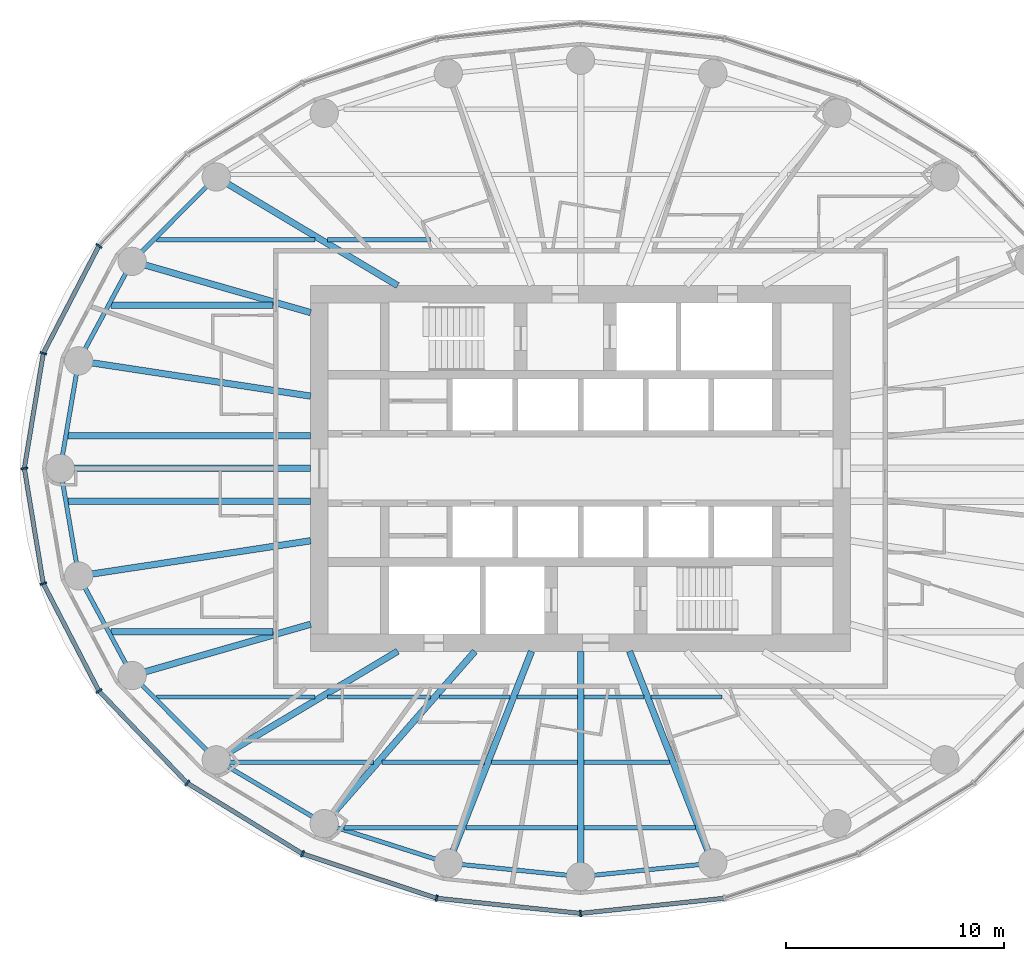
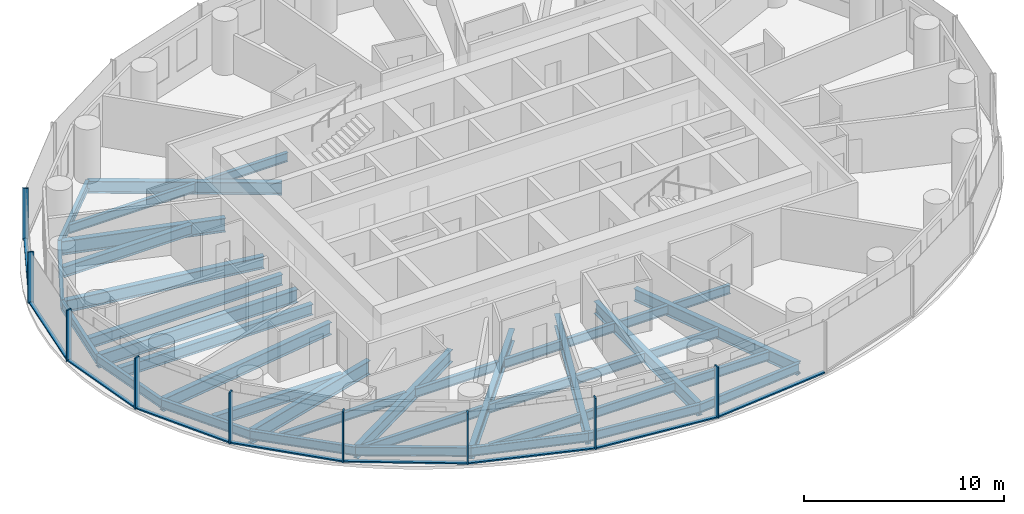
# One storey, part 2 of 13: 40 beams, 18 members, 3 elements without a shape of their own.
"""IFC4 building model written with IfcOpenShell, lengths in metres."""

from ifc_helpers import new_model, si_unit, direction, frame, origin, origin_2d, place, context, subcontext, project, spatial, rectangle, i_section, extrude, material, material_profile, profile_set, type_object, element, aggregate, save


model = new_model("IFC4")

# Units and contexts
model_context = context("Model", 3, precision=1e-05, world=origin(), true_north=direction((0.0, 1.0)))
body_context = subcontext(model_context, "Body", "Model", "MODEL_VIEW")
ifc_project = project(units=[si_unit("LENGTHUNIT", "METRE"), si_unit("AREAUNIT", "SQUARE_METRE"), si_unit("VOLUMEUNIT", "CUBIC_METRE"), si_unit("PLANEANGLEUNIT", "RADIAN"), si_unit("MASSUNIT", "GRAM", prefix="KILO")], contexts=[model_context])

# Site, building, storey
site_placement = place(None, origin())
site = spatial("IfcSite", under=ifc_project, at=site_placement, CompositionType="ELEMENT")
building_placement = place(site_placement, origin())
building = spatial("IfcBuilding", under=site, at=building_placement, Name="Hankou Lantern Tower", CompositionType="ELEMENT")
storey_placement = place(building_placement, frame((0.0, 0.0, 125.39990234375)))
storey = spatial("IfcBuildingStorey", under=building, at=storey_placement, Name="L32", CompositionType="ELEMENT", Elevation=125.39990234375)

# Beams
ifc_material_1 = material(Name="Steel Q355B", Category="steel")
ifc_material_profile_1 = material_profile(ifc_material_1, i_section(OverallWidth=0.199951171875, OverallDepth=0.550048828125, WebThickness=0.010009765625, FlangeThickness=0.01611328125, FilletRadius=0.012939453125, at=origin_2d()), Name="HN550x200x10x16")
ifc_profile_set_1 = profile_set([ifc_material_profile_1], Name="Steel Q355B")
beam_type_1 = type_object("IfcBeamType", Name="EB6 RING BEAM HN550x200x10x16", PredefinedType="SPANDREL", material=ifc_profile_set_1)
beam_1_placement = place(storey_placement, frame((-16.73388671875, 13.38720703125, -0.454833984375), z_axis=(-0.705945468625, -0.708266189599, 0.0), x_axis=(0.708266189599, -0.705945468625, 0.0)))
element("IfcBeam", 1, at=beam_1_placement, inside=storey, type_object=beam_type_1, Name="Ring beam R10-R11 L32", PredefinedType="SPANDREL", context=body_context, shape_type="SweptSolid", body=[
    extrude(i_section(OverallWidth=0.199951171875, OverallDepth=0.550048828125, WebThickness=0.010009765625, FlangeThickness=0.01611328125, FilletRadius=0.012939453125, at=origin_2d()), origin(), (0.0, 0.0, 1.0), 5.470458984375),
])
beam_2_placement = place(storey_placement, frame((-20.595703125, 9.5126953125, -0.454833984375), z_axis=(-0.473824901673, -0.880619079145, 0.0), x_axis=(0.880619079145, -0.473824901673, 0.0)))
element("IfcBeam", 2, at=beam_2_placement, inside=storey, type_object=beam_type_1, Name="Ring beam R11-R12 L32", PredefinedType="SPANDREL", context=body_context, shape_type="SweptSolid", body=[
    extrude(i_section(OverallWidth=0.199951171875, OverallDepth=0.550048828125, WebThickness=0.010009765625, FlangeThickness=0.01611328125, FilletRadius=0.012939453125, at=origin_2d()), origin(), (0.0, 0.0, 1.0), 5.190185546875),
])
for number, where, z_axis, x_axis, name in (
    (3, (-23.054931640625, 4.942138671875, -0.454833984375), (-0.168527258545, -0.985696993567, 0.0), (0.985696993567, -0.168527258545, 0.0), "Ring beam R12-R13 L32"),
    (4, (-23.89990234375, 0.0, -0.454833984375), (0.168527258545, -0.985696993567, 0.0), (0.985696993567, 0.168527258545, 0.0), "Ring beam R13-R14 L32"),
):
    element("IfcBeam", number, at=place(storey_placement, frame(where, z_axis=z_axis, x_axis=x_axis)), inside=storey, type_object=beam_type_1, Name=name, PredefinedType="SPANDREL", context=body_context, shape_type="SweptSolid", body=[
        extrude(i_section(OverallWidth=0.199951171875, OverallDepth=0.550048828125, WebThickness=0.010009765625, FlangeThickness=0.01611328125, FilletRadius=0.012939453125, at=origin_2d()), origin(), (0.0, 0.0, 1.0), 5.013916015625),
    ])
beam_3_placement = place(storey_placement, frame((-23.054931640625, -4.942138671875, -0.454833984375), z_axis=(0.473824901673, -0.880619079145, 0.0), x_axis=(0.880619079145, 0.473824901673, 0.0)))
element("IfcBeam", 5, at=beam_3_placement, inside=storey, type_object=beam_type_1, Name="Ring beam R14-R15 L32", PredefinedType="SPANDREL", context=body_context, shape_type="SweptSolid", body=[
    extrude(i_section(OverallWidth=0.199951171875, OverallDepth=0.550048828125, WebThickness=0.010009765625, FlangeThickness=0.01611328125, FilletRadius=0.012939453125, at=origin_2d()), origin(), (0.0, 0.0, 1.0), 5.190185546875),
])
beam_4_placement = place(storey_placement, frame((-20.595703125, -9.5126953125, -0.454833984375), z_axis=(0.705945468625, -0.708266189599, 0.0), x_axis=(0.708266189599, 0.705945468625, 0.0)))
element("IfcBeam", 6, at=beam_4_placement, inside=storey, type_object=beam_type_1, Name="Ring beam R15-R16 L32", PredefinedType="SPANDREL", context=body_context, shape_type="SweptSolid", body=[
    extrude(i_section(OverallWidth=0.199951171875, OverallDepth=0.550048828125, WebThickness=0.010009765625, FlangeThickness=0.01611328125, FilletRadius=0.012939453125, at=origin_2d()), origin(), (0.0, 0.0, 1.0), 5.470458984375),
])
beam_5_placement = place(storey_placement, frame((-16.73388671875, -13.38720703125, -0.454833984375), z_axis=(0.860988974188, -0.508623619513, 0.0), x_axis=(0.508623619513, 0.860988974188, 0.0)))
element("IfcBeam", 7, at=beam_5_placement, inside=storey, type_object=beam_type_1, Name="Ring beam R16-R17 L32", PredefinedType="SPANDREL", context=body_context, shape_type="SweptSolid", body=[
    extrude(i_section(OverallWidth=0.199951171875, OverallDepth=0.550048828125, WebThickness=0.010009765625, FlangeThickness=0.01611328125, FilletRadius=0.012939453125, at=origin_2d()), origin(), (0.0, 0.0, 1.0), 5.759033203125),
])
beam_6_placement = place(storey_placement, frame((-11.775390625, -16.31640625, -0.454833984375), z_axis=(0.952731090451, -0.303814860215, 0.0), x_axis=(0.303814860215, 0.952731090451, 0.0)))
element("IfcBeam", 8, at=beam_6_placement, inside=storey, type_object=beam_type_1, Name="Ring beam R17-R18 L32", PredefinedType="SPANDREL", context=body_context, shape_type="SweptSolid", body=[
    extrude(i_section(OverallWidth=0.199951171875, OverallDepth=0.550048828125, WebThickness=0.010009765625, FlangeThickness=0.01611328125, FilletRadius=0.012939453125, at=origin_2d()), origin(), (0.0, 0.0, 1.0), 5.984375),
])
for number, where, z_axis, x_axis, name in (
    (9, (-6.073974609375, -18.134521484375, -0.454833984375), (0.994905271594, -0.100814188259, 0.0), (0.100814188259, 0.994905271594, 0.0), "Ring beam R18-R19 L32"),
    (10, (0.0, -18.75, -0.454833984375), (0.994905271594, 0.100814188259, 0.0), (-0.100814188259, 0.994905271594, 0.0), "Ring beam R19-R20 L32"),
):
    element("IfcBeam", number, at=place(storey_placement, frame(where, z_axis=z_axis, x_axis=x_axis)), inside=storey, type_object=beam_type_1, Name=name, PredefinedType="SPANDREL", context=body_context, shape_type="SweptSolid", body=[
        extrude(i_section(OverallWidth=0.199951171875, OverallDepth=0.550048828125, WebThickness=0.010009765625, FlangeThickness=0.01611328125, FilletRadius=0.012939453125, at=origin_2d()), origin(), (0.0, 0.0, 1.0), 6.10498046875),
    ])

# Curtain wall, members
ifc_material_2 = material(Name="Glass, dark grey tinted laminated", Category="glass")
curtain_wall_type = type_object("IfcCurtainWallType", Name="CWB OUTER SKIN MID-RISE", PredefinedType="USERDEFINED", material=ifc_material_2)
curtain_wall_1_placement = place(storey_placement, origin())
curtain_wall_1 = element("IfcCurtainWall", 11, at=curtain_wall_1_placement, inside=storey, type_object=curtain_wall_type, Name="CWB L32 OS2", ObjectType="OUTER SKIN MID-RISE", PredefinedType="USERDEFINED")
ifc_material_3 = material(Name="Aluminium, black anodised", Category="aluminium")
ifc_material_profile_2 = material_profile(ifc_material_3, rectangle(XDim=0.080078125, YDim=0.300048828125, at=origin_2d()), Name="MU1 80X300")
ifc_profile_set_2 = profile_set([ifc_material_profile_2], Name="Aluminium, black anodised")
member_type_1 = type_object("IfcMemberType", Name="MU1 OUTER SKIN MULLION 80X300", PredefinedType="MULLION", material=ifc_profile_set_2)
member_1_placement = place(storey_placement, frame((-22.126953125, 10.219970703125, 0.0), z_axis=(0.0, 0.0, 1.0), x_axis=(-0.585205735974, -0.810884854084, 0.0)))
member_1 = element("IfcMember", 12, at=member_1_placement, type_object=member_type_1, Name="CWB mullion 5", PredefinedType="MULLION", context=body_context, shape_type="SweptSolid", body=[
    extrude(rectangle(XDim=0.080078125, YDim=0.300048828125, at=origin_2d()), origin(), (0.0, 0.0, 1.0), 3.1201171875),
])
member_2_placement = place(storey_placement, frame((-24.679443359375, 5.290283203125, 0.0), z_axis=(0.0, 0.0, 1.0), x_axis=(-0.317595577365, -0.94822626479, 0.0)))
member_2 = element("IfcMember", 13, at=member_2_placement, type_object=member_type_1, Name="CWB mullion 6", PredefinedType="MULLION", context=body_context, shape_type="SweptSolid", body=[
    extrude(rectangle(XDim=0.080078125, YDim=0.300048828125, at=origin_2d()), origin(), (0.0, 0.0, 1.0), 3.1201171875),
])

curtain_wall_2_placement = place(storey_placement, origin())
curtain_wall_2 = element("IfcCurtainWall", 14, at=curtain_wall_2_placement, inside=storey, type_object=curtain_wall_type, Name="CWB L32 OS3", ObjectType="OUTER SKIN MID-RISE", PredefinedType="USERDEFINED")
member_3_placement = place(storey_placement, frame((-25.550048828125, 0.0, 0.0), z_axis=(0.0, 0.0, 1.0), x_axis=(0.162381515188, -0.986728049427, 0.0)))
member_3 = element("IfcMember", 15, at=member_3_placement, type_object=member_type_1, Name="CWB mullion 1", PredefinedType="MULLION", context=body_context, shape_type="SweptSolid", body=[
    extrude(rectangle(XDim=0.080078125, YDim=0.300048828125, at=origin_2d()), origin(), (0.0, 0.0, 1.0), 3.1201171875),
])
member_4_placement = place(storey_placement, frame((-24.679443359375, -5.290283203125, 0.0), z_axis=(0.0, 0.0, 1.0), x_axis=(0.317595577365, -0.94822626479, 0.0)))
member_4 = element("IfcMember", 16, at=member_4_placement, type_object=member_type_1, Name="CWB mullion 2", PredefinedType="MULLION", context=body_context, shape_type="SweptSolid", body=[
    extrude(rectangle(XDim=0.080078125, YDim=0.300048828125, at=origin_2d()), origin(), (0.0, 0.0, 1.0), 3.1201171875),
])
member_5_placement = place(storey_placement, frame((-22.126953125, -10.219970703125, 0.0), z_axis=(0.0, 0.0, 1.0), x_axis=(0.585205735974, -0.810884854084, 0.0)))
member_5 = element("IfcMember", 17, at=member_5_placement, type_object=member_type_1, Name="CWB mullion 3", PredefinedType="MULLION", context=body_context, shape_type="SweptSolid", body=[
    extrude(rectangle(XDim=0.080078125, YDim=0.300048828125, at=origin_2d()), origin(), (0.0, 0.0, 1.0), 3.1201171875),
])
member_6_placement = place(storey_placement, frame((-18.066650390625, -14.453369140625, 0.0), z_axis=(0.0, 0.0, 1.0), x_axis=(0.780868809444, -0.624695047553, 0.0)))
member_6 = element("IfcMember", 18, at=member_6_placement, type_object=member_type_1, Name="CWB mullion 4", PredefinedType="MULLION", context=body_context, shape_type="SweptSolid", body=[
    extrude(rectangle(XDim=0.080078125, YDim=0.300048828125, at=origin_2d()), origin(), (0.0, 0.0, 1.0), 3.1201171875),
])
member_7_placement = place(storey_placement, frame((-12.77490234375, -17.70166015625, 0.0), z_axis=(0.0, 0.0, 1.0), x_axis=(0.907841299004, -0.419313934686, 0.0)))
member_7 = element("IfcMember", 19, at=member_7_placement, type_object=member_type_1, Name="CWB mullion 5", PredefinedType="MULLION", context=body_context, shape_type="SweptSolid", body=[
    extrude(rectangle(XDim=0.080078125, YDim=0.300048828125, at=origin_2d()), origin(), (0.0, 0.0, 1.0), 3.1201171875),
])
member_8_placement = place(storey_placement, frame((-6.61279296875, -19.743408203125, 0.0), z_axis=(0.0, 0.0, 1.0), x_axis=(0.977787659625, -0.209597931016, 0.0)))
member_8 = element("IfcMember", 20, at=member_8_placement, type_object=member_type_1, Name="CWB mullion 6", PredefinedType="MULLION", context=body_context, shape_type="SweptSolid", body=[
    extrude(rectangle(XDim=0.080078125, YDim=0.300048828125, at=origin_2d()), origin(), (0.0, 0.0, 1.0), 3.1201171875),
])

# Curtain wall, member
curtain_wall_3_placement = place(storey_placement, origin())
curtain_wall_3 = element("IfcCurtainWall", 21, at=curtain_wall_3_placement, inside=storey, type_object=curtain_wall_type, Name="CWB L32 OS4", ObjectType="OUTER SKIN MID-RISE", PredefinedType="USERDEFINED")
member_9_placement = place(storey_placement, frame((0.0, -20.43994140625, 0.0), z_axis=(0.0, 0.0, 1.0), x_axis=(0.994499359107, 0.104742659579, 0.0)))
member_9 = element("IfcMember", 22, at=member_9_placement, type_object=member_type_1, Name="CWB mullion 1", PredefinedType="MULLION", context=body_context, shape_type="SweptSolid", body=[
    extrude(rectangle(XDim=0.080078125, YDim=0.300048828125, at=origin_2d()), origin(), (0.0, 0.0, 1.0), 3.1201171875),
])

# Beams
ifc_material_4 = material(Name="Steel Q355B", Category="steel")
ifc_material_profile_3 = material_profile(ifc_material_4, i_section(OverallWidth=0.300048828125, OverallDepth=0.75, WebThickness=0.012939453125, FlangeThickness=0.02392578125, FilletRadius=0.01806640625, at=origin_2d()), Name="HN750x300x13x24")
ifc_profile_set_3 = profile_set([ifc_material_profile_3], Name="Steel Q355B")
beam_type_2 = type_object("IfcBeamType", Name="RB10 RADIAL BEAM HN750x300x13x24", PredefinedType="BEAM", material=ifc_profile_set_3)
beam_7_placement = place(storey_placement, frame((-8.39990234375, 8.39990234375, -0.554931640625), z_axis=(-0.858086776551, 0.513504706802, 0.0), x_axis=(-0.513504706802, -0.858086776551, 0.0)))
element("IfcBeam", 23, at=beam_7_placement, inside=storey, type_object=beam_type_2, Name="Radial beam R10 L32", PredefinedType="BEAM", context=body_context, shape_type="SweptSolid", body=[
    extrude(i_section(OverallWidth=0.300048828125, OverallDepth=0.75, WebThickness=0.012939453125, FlangeThickness=0.02392578125, FilletRadius=0.01806640625, at=origin_2d()), origin(), (0.0, 0.0, 1.0), 9.71240234375),
])
for number, where, z_axis, x_axis, name in (
    (24, (-12.39990234375, 3.322509765625, -0.554931640625), (-0.988643506875, 0.150279793429, 0.0), (-0.150279793429, -0.988643506875, 0.0), "Radial beam R12 L32"),
    (25, (-12.39990234375, -3.322509765625, -0.554931640625), (-0.988643506875, -0.150279793429, 0.0), (0.150279793429, -0.988643506875, 0.0), "Radial beam R14 L32"),
):
    element("IfcBeam", number, at=place(storey_placement, frame(where, z_axis=z_axis, x_axis=x_axis)), inside=storey, type_object=beam_type_2, Name=name, PredefinedType="BEAM", context=body_context, shape_type="SweptSolid", body=[
        extrude(i_section(OverallWidth=0.300048828125, OverallDepth=0.75, WebThickness=0.012939453125, FlangeThickness=0.02392578125, FilletRadius=0.01806640625, at=origin_2d()), origin(), (0.0, 0.0, 1.0), 10.77734375),
    ])
beam_8_placement = place(storey_placement, frame((-8.39990234375, -8.39990234375, -0.554931640625), z_axis=(-0.858086776551, -0.513504706802, 0.0), x_axis=(0.513504706802, -0.858086776551, 0.0)))
element("IfcBeam", 26, at=beam_8_placement, inside=storey, type_object=beam_type_2, Name="Radial beam R16 L32", PredefinedType="BEAM", context=body_context, shape_type="SweptSolid", body=[
    extrude(i_section(OverallWidth=0.300048828125, OverallDepth=0.75, WebThickness=0.012939453125, FlangeThickness=0.02392578125, FilletRadius=0.01806640625, at=origin_2d()), origin(), (0.0, 0.0, 1.0), 9.71240234375),
])
beam_9_placement = place(storey_placement, frame((-4.849853515625, -8.39990234375, -0.554931640625), z_axis=(-0.658429014446, -0.752642832249, 0.0), x_axis=(0.752642832249, -0.658429014446, 0.0)))
element("IfcBeam", 27, at=beam_9_placement, inside=storey, type_object=beam_type_2, Name="Radial beam R17 L32", PredefinedType="BEAM", context=body_context, shape_type="SweptSolid", body=[
    extrude(i_section(OverallWidth=0.300048828125, OverallDepth=0.75, WebThickness=0.012939453125, FlangeThickness=0.02392578125, FilletRadius=0.01806640625, at=origin_2d()), origin(), (0.0, 0.0, 1.0), 10.518310546875),
])
beam_10_placement = place(storey_placement, frame((-2.250732421875, -8.39990234375, -0.554931640625), z_axis=(-0.365563535437, -0.930786388791, 0.0), x_axis=(0.930786388791, -0.365563535437, 0.0)))
element("IfcBeam", 28, at=beam_10_placement, inside=storey, type_object=beam_type_2, Name="Radial beam R18 L32", PredefinedType="BEAM", context=body_context, shape_type="SweptSolid", body=[
    extrude(i_section(OverallWidth=0.300048828125, OverallDepth=0.75, WebThickness=0.012939453125, FlangeThickness=0.02392578125, FilletRadius=0.01806640625, at=origin_2d()), origin(), (0.0, 0.0, 1.0), 10.45849609375),
])
beam_11_placement = place(storey_placement, frame((0.0, -8.39990234375, -0.554931640625), z_axis=(0.0, -1.0, 0.0), x_axis=(1.0, 0.0, 0.0)))
element("IfcBeam", 29, at=beam_11_placement, inside=storey, type_object=beam_type_2, Name="Radial beam R19 L32", PredefinedType="BEAM", context=body_context, shape_type="SweptSolid", body=[
    extrude(i_section(OverallWidth=0.300048828125, OverallDepth=0.75, WebThickness=0.012939453125, FlangeThickness=0.02392578125, FilletRadius=0.01806640625, at=origin_2d()), origin(), (0.0, 0.0, 1.0), 10.35009765625),
])
beam_12_placement = place(storey_placement, frame((2.250732421875, -8.39990234375, -0.554931640625), z_axis=(0.365563535437, -0.930786388791, 0.0), x_axis=(0.930786388791, 0.365563535437, 0.0)))
element("IfcBeam", 30, at=beam_12_placement, inside=storey, type_object=beam_type_2, Name="Radial beam R20 L32", PredefinedType="BEAM", context=body_context, shape_type="SweptSolid", body=[
    extrude(i_section(OverallWidth=0.300048828125, OverallDepth=0.75, WebThickness=0.012939453125, FlangeThickness=0.02392578125, FilletRadius=0.01806640625, at=origin_2d()), origin(), (0.0, 0.0, 1.0), 10.45849609375),
])
ifc_material_5 = material(Name="Steel Q355B", Category="steel")
ifc_material_profile_4 = material_profile(ifc_material_5, i_section(OverallWidth=0.300048828125, OverallDepth=0.800048828125, WebThickness=0.013916015625, FlangeThickness=0.02587890625, FilletRadius=0.01806640625, at=origin_2d()), Name="HN800x300x14x26")
ifc_profile_set_4 = profile_set([ifc_material_profile_4], Name="Steel Q355B")
beam_type_3 = type_object("IfcBeamType", Name="RB11 RADIAL BEAM HN800x300x14x26", PredefinedType="BEAM", material=ifc_profile_set_4)
beam_13_placement = place(storey_placement, frame((-12.39990234375, 0.0, -0.579833984375), z_axis=(-1.0, 0.0, 0.0), x_axis=(0.0, -1.0, 0.0)))
element("IfcBeam", 31, at=beam_13_placement, inside=storey, type_object=beam_type_3, Name="Radial beam R13 L32", PredefinedType="BEAM", context=body_context, shape_type="SweptSolid", body=[
    extrude(i_section(OverallWidth=0.300048828125, OverallDepth=0.800048828125, WebThickness=0.013916015625, FlangeThickness=0.02587890625, FilletRadius=0.01806640625, at=origin_2d()), origin(), (0.0, 0.0, 1.0), 11.5),
])
ifc_material_6 = material(Name="Steel Q355B", Category="steel")
ifc_material_profile_5 = material_profile(ifc_material_6, i_section(OverallWidth=0.300048828125, OverallDepth=0.85009765625, WebThickness=0.01611328125, FlangeThickness=0.027099609375, FilletRadius=0.01806640625, at=origin_2d()), Name="HN850x300x16x27")
ifc_profile_set_5 = profile_set([ifc_material_profile_5], Name="Steel Q355B")
beam_type_4 = type_object("IfcBeamType", Name="RB12 RADIAL BEAM HN850x300x16x27", PredefinedType="BEAM", material=ifc_profile_set_5)
for number, where, z_axis, x_axis, name in (
    (32, (-12.39990234375, 7.1591796875, -0.60498046875), (-0.961155741911, 0.276006593745, 0.0), (-0.276006593745, -0.961155741911, 0.0), "Radial beam R11 L32"),
    (33, (-12.39990234375, -7.1591796875, -0.60498046875), (-0.961155741911, -0.276006593745, 0.0), (0.276006593745, -0.961155741911, 0.0), "Radial beam R15 L32"),
):
    element("IfcBeam", number, at=place(storey_placement, frame(where, z_axis=z_axis, x_axis=x_axis)), inside=storey, type_object=beam_type_4, Name=name, PredefinedType="BEAM", context=body_context, shape_type="SweptSolid", body=[
        extrude(i_section(OverallWidth=0.300048828125, OverallDepth=0.85009765625, WebThickness=0.01611328125, FlangeThickness=0.027099609375, FilletRadius=0.01806640625, at=origin_2d()), origin(), (0.0, 0.0, 1.0), 8.527099609375),
    ])
ifc_material_7 = material(Name="Steel Q355B", Category="steel")
ifc_material_profile_6 = material_profile(ifc_material_7, i_section(OverallWidth=0.199951171875, OverallDepth=0.550048828125, WebThickness=0.010009765625, FlangeThickness=0.01611328125, FilletRadius=0.012939453125, at=origin_2d()), Name="HN550x200x10x16")
ifc_profile_set_6 = profile_set([ifc_material_profile_6], Name="Steel Q355B")
beam_type_5 = type_object("IfcBeamType", Name="SB6 SECONDARY BEAM HN550x200x10x16", PredefinedType="JOIST", material=ifc_profile_set_6)
beam_14_placement = place(storey_placement, frame((-10.8701171875, -16.5, -0.454833984375), z_axis=(1.0, 0.0, 0.0), x_axis=(0.0, 1.0, 0.0)))
element("IfcBeam", 34, at=beam_14_placement, inside=storey, type_object=beam_type_5, Name="Floor joist J001 L32", PredefinedType="JOIST", context=body_context, shape_type="SweptSolid", body=[
    extrude(i_section(OverallWidth=0.199951171875, OverallDepth=0.550048828125, WebThickness=0.010009765625, FlangeThickness=0.01611328125, FilletRadius=0.012939453125, at=origin_2d()), origin(), (0.0, 0.0, 1.0), 5.27685546875),
])
for number, where, z_axis, x_axis, name in (
    (35, (-5.270751953125, -16.5, -0.454833984375), (1.0, 0.0, 0.0), (0.0, 1.0, 0.0), "Floor joist J002 L32"),
    (36, (0.14990234375, -16.5, -0.454833984375), (1.0, 0.0, 0.0), (0.0, 1.0, 0.0), "Floor joist J003 L32"),
):
    element("IfcBeam", number, at=place(storey_placement, frame(where, z_axis=z_axis, x_axis=x_axis)), inside=storey, type_object=beam_type_5, Name=name, PredefinedType="JOIST", context=body_context, shape_type="SweptSolid", body=[
        extrude(i_section(OverallWidth=0.199951171875, OverallDepth=0.550048828125, WebThickness=0.010009765625, FlangeThickness=0.01611328125, FilletRadius=0.012939453125, at=origin_2d()), origin(), (0.0, 0.0, 1.0), 5.120849609375),
    ])
beam_15_placement = place(storey_placement, frame((-16.34619140625, -13.5, -0.454833984375), z_axis=(1.0, 0.0, 0.0), x_axis=(0.0, 1.0, 0.0)))
element("IfcBeam", 37, at=beam_15_placement, inside=storey, type_object=beam_type_5, Name="Floor joist J005 L32", PredefinedType="JOIST", context=body_context, shape_type="SweptSolid", body=[
    extrude(i_section(OverallWidth=0.199951171875, OverallDepth=0.550048828125, WebThickness=0.010009765625, FlangeThickness=0.01611328125, FilletRadius=0.012939453125, at=origin_2d()), origin(), (0.0, 0.0, 1.0), 6.83544921875),
])
beam_16_placement = place(storey_placement, frame((-9.112060546875, -13.5, -0.454833984375), z_axis=(1.0, 0.0, 0.0), x_axis=(0.0, 1.0, 0.0)))
element("IfcBeam", 38, at=beam_16_placement, inside=storey, type_object=beam_type_5, Name="Floor joist J006 L32", PredefinedType="JOIST", context=body_context, shape_type="SweptSolid", body=[
    extrude(i_section(OverallWidth=0.199951171875, OverallDepth=0.550048828125, WebThickness=0.010009765625, FlangeThickness=0.01611328125, FilletRadius=0.012939453125, at=origin_2d()), origin(), (0.0, 0.0, 1.0), 4.697021484375),
])
for number, where, z_axis, x_axis, name in (
    (39, (-4.092529296875, -13.5, -0.454833984375), (1.0, 0.0, 0.0), (0.0, 1.0, 0.0), "Floor joist J007 L32"),
    (40, (0.14990234375, -13.5, -0.454833984375), (1.0, 0.0, 0.0), (0.0, 1.0, 0.0), "Floor joist J008 L32"),
):
    element("IfcBeam", number, at=place(storey_placement, frame(where, z_axis=z_axis, x_axis=x_axis)), inside=storey, type_object=beam_type_5, Name=name, PredefinedType="JOIST", context=body_context, shape_type="SweptSolid", body=[
        extrude(i_section(OverallWidth=0.199951171875, OverallDepth=0.550048828125, WebThickness=0.010009765625, FlangeThickness=0.01611328125, FilletRadius=0.012939453125, at=origin_2d()), origin(), (0.0, 0.0, 1.0), 3.942626953125),
    ])
beam_17_placement = place(storey_placement, frame((-19.470458984375, -10.5, -0.454833984375), z_axis=(1.0, 0.0, 0.0), x_axis=(0.0, 1.0, 0.0)))
element("IfcBeam", 41, at=beam_17_placement, inside=storey, type_object=beam_type_5, Name="Floor joist J011 L32", PredefinedType="JOIST", context=body_context, shape_type="SweptSolid", body=[
    extrude(i_section(OverallWidth=0.199951171875, OverallDepth=0.550048828125, WebThickness=0.010009765625, FlangeThickness=0.01611328125, FilletRadius=0.012939453125, at=origin_2d()), origin(), (0.0, 0.0, 1.0), 7.26904296875),
])
beam_18_placement = place(storey_placement, frame((-11.6171875, -10.5, -0.454833984375), z_axis=(1.0, 0.0, 0.0), x_axis=(0.0, 1.0, 0.0)))
element("IfcBeam", 42, at=beam_18_placement, inside=storey, type_object=beam_type_5, Name="Floor joist J012 L32", PredefinedType="JOIST", context=body_context, shape_type="SweptSolid", body=[
    extrude(i_section(OverallWidth=0.199951171875, OverallDepth=0.550048828125, WebThickness=0.010009765625, FlangeThickness=0.01611328125, FilletRadius=0.012939453125, at=origin_2d()), origin(), (0.0, 0.0, 1.0), 4.73095703125),
])
beam_19_placement = place(storey_placement, frame((-6.487548828125, -10.5, -0.454833984375), z_axis=(1.0, 0.0, 0.0), x_axis=(0.0, 1.0, 0.0)))
element("IfcBeam", 43, at=beam_19_placement, inside=storey, type_object=beam_type_5, Name="Floor joist J013 L32", PredefinedType="JOIST", context=body_context, shape_type="SweptSolid", body=[
    extrude(i_section(OverallWidth=0.199951171875, OverallDepth=0.550048828125, WebThickness=0.010009765625, FlangeThickness=0.01611328125, FilletRadius=0.012939453125, at=origin_2d()), origin(), (0.0, 0.0, 1.0), 3.2509765625),
])
for number, where, z_axis, x_axis, name in (
    (44, (-2.914306640625, -10.5, -0.454833984375), (1.0, 0.0, 0.0), (0.0, 1.0, 0.0), "Floor joist J014 L32"),
    (45, (0.14990234375, -10.5, -0.454833984375), (1.0, 0.0, 0.0), (0.0, 1.0, 0.0), "Floor joist J015 L32"),
):
    element("IfcBeam", number, at=place(storey_placement, frame(where, z_axis=z_axis, x_axis=x_axis)), inside=storey, type_object=beam_type_5, Name=name, PredefinedType="JOIST", context=body_context, shape_type="SweptSolid", body=[
        extrude(i_section(OverallWidth=0.199951171875, OverallDepth=0.550048828125, WebThickness=0.010009765625, FlangeThickness=0.01611328125, FilletRadius=0.012939453125, at=origin_2d()), origin(), (0.0, 0.0, 1.0), 2.764404296875),
    ])
beam_20_placement = place(storey_placement, frame((3.236572265625, -10.5, -0.454833984375), z_axis=(1.0, 0.0, 0.0), x_axis=(0.0, 1.0, 0.0)))
element("IfcBeam", 46, at=beam_20_placement, inside=storey, type_object=beam_type_5, Name="Floor joist J016 L32", PredefinedType="JOIST", context=body_context, shape_type="SweptSolid", body=[
    extrude(i_section(OverallWidth=0.199951171875, OverallDepth=0.550048828125, WebThickness=0.010009765625, FlangeThickness=0.01611328125, FilletRadius=0.012939453125, at=origin_2d()), origin(), (0.0, 0.0, 1.0), 3.2509765625),
])
beam_21_placement = place(storey_placement, frame((-19.470458984375, 10.5, -0.454833984375), z_axis=(1.0, 0.0, 0.0), x_axis=(0.0, 1.0, 0.0)))
element("IfcBeam", 47, at=beam_21_placement, inside=storey, type_object=beam_type_5, Name="Floor joist J035 L32", PredefinedType="JOIST", context=body_context, shape_type="SweptSolid", body=[
    extrude(i_section(OverallWidth=0.199951171875, OverallDepth=0.550048828125, WebThickness=0.010009765625, FlangeThickness=0.01611328125, FilletRadius=0.012939453125, at=origin_2d()), origin(), (0.0, 0.0, 1.0), 7.26904296875),
])
beam_22_placement = place(storey_placement, frame((-11.6171875, 10.5, -0.454833984375), z_axis=(1.0, 0.0, 0.0), x_axis=(0.0, 1.0, 0.0)))
element("IfcBeam", 48, at=beam_22_placement, inside=storey, type_object=beam_type_5, Name="Floor joist J036 L32", PredefinedType="JOIST", context=body_context, shape_type="SweptSolid", body=[
    extrude(i_section(OverallWidth=0.199951171875, OverallDepth=0.550048828125, WebThickness=0.010009765625, FlangeThickness=0.01611328125, FilletRadius=0.012939453125, at=origin_2d()), origin(), (0.0, 0.0, 1.0), 4.73095703125),
])
ifc_material_8 = material(Name="Steel Q355B", Category="steel")
ifc_material_profile_7 = material_profile(ifc_material_8, i_section(OverallWidth=0.300048828125, OverallDepth=0.64990234375, WebThickness=0.010986328125, FlangeThickness=0.01708984375, FilletRadius=0.01806640625, at=origin_2d()), Name="HN650x300x11x17")
ifc_profile_set_7 = profile_set([ifc_material_profile_7], Name="Steel Q355B")
beam_type_6 = type_object("IfcBeamType", Name="SB8 SECONDARY BEAM HN650x300x11x17", PredefinedType="JOIST", material=ifc_profile_set_7)
beam_23_placement = place(storey_placement, frame((-21.56494140625, -7.5, -0.5048828125), z_axis=(1.0, 0.0, 0.0), x_axis=(0.0, 1.0, 0.0)))
element("IfcBeam", 49, at=beam_23_placement, inside=storey, type_object=beam_type_6, Name="Floor joist J019 L32", PredefinedType="JOIST", context=body_context, shape_type="SweptSolid", body=[
    extrude(i_section(OverallWidth=0.300048828125, OverallDepth=0.64990234375, WebThickness=0.010986328125, FlangeThickness=0.01708984375, FilletRadius=0.01806640625, at=origin_2d()), origin(), (0.0, 0.0, 1.0), 7.4345703125),
])
for number, where, z_axis, x_axis, name in (
    (50, (-23.5419921875, -1.5, -0.5048828125), (1.0, 0.0, 0.0), (0.0, 1.0, 0.0), "Floor joist J025 L32"),
    (51, (-23.5419921875, 1.5, -0.5048828125), (1.0, 0.0, 0.0), (0.0, 1.0, 0.0), "Floor joist J027 L32"),
):
    element("IfcBeam", number, at=place(storey_placement, frame(where, z_axis=z_axis, x_axis=x_axis)), inside=storey, type_object=beam_type_6, Name=name, PredefinedType="JOIST", context=body_context, shape_type="SweptSolid", body=[
        extrude(i_section(OverallWidth=0.300048828125, OverallDepth=0.64990234375, WebThickness=0.010986328125, FlangeThickness=0.01708984375, FilletRadius=0.01806640625, at=origin_2d()), origin(), (0.0, 0.0, 1.0), 11.14208984375),
    ])
beam_24_placement = place(storey_placement, frame((-21.56494140625, 7.5, -0.5048828125), z_axis=(1.0, 0.0, 0.0), x_axis=(0.0, 1.0, 0.0)))
element("IfcBeam", 52, at=beam_24_placement, inside=storey, type_object=beam_type_6, Name="Floor joist J033 L32", PredefinedType="JOIST", context=body_context, shape_type="SweptSolid", body=[
    extrude(i_section(OverallWidth=0.300048828125, OverallDepth=0.64990234375, WebThickness=0.010986328125, FlangeThickness=0.01708984375, FilletRadius=0.01806640625, at=origin_2d()), origin(), (0.0, 0.0, 1.0), 7.4345703125),
])

# Member
ifc_material_9 = material(Name="Aluminium, black anodised", Category="aluminium")
ifc_material_profile_8 = material_profile(ifc_material_9, rectangle(XDim=0.199951171875, YDim=0.080078125, at=origin_2d()), Name="TR1 200X80")
ifc_profile_set_8 = profile_set([ifc_material_profile_8], Name="Aluminium, black anodised")
member_type_2 = type_object("IfcMemberType", Name="TR1 OUTER SKIN TRANSOM 200X80", PredefinedType="USERDEFINED", material=ifc_profile_set_8)
member_10_placement = place(storey_placement, frame((-22.145263671875, 10.1845703125, 0.0400390625), z_axis=(-0.459805240543, -0.888019786249, 0.0), x_axis=(0.888019786249, -0.459805240543, 0.0)))
member_10 = element("IfcMember", 53, at=member_10_placement, type_object=member_type_2, Name="CWB transom 5", ObjectType="TRANSOM", PredefinedType="USERDEFINED", context=body_context, shape_type="SweptSolid", body=[
    extrude(rectangle(XDim=0.199951171875, YDim=0.080078125, at=origin_2d()), origin(), (0.0, 0.0, 1.0), 5.4716796875),
])

member_11_placement = place(storey_placement, frame((-24.685791015625, 5.250732421875, 0.0400390625), z_axis=(-0.162397124076, -0.986725480614, 0.0), x_axis=(0.986725480614, -0.162397124076, 0.0)))
member_11 = element("IfcMember", 54, at=member_11_placement, type_object=member_type_2, Name="CWB transom 6", ObjectType="TRANSOM", PredefinedType="USERDEFINED", context=body_context, shape_type="SweptSolid", body=[
    extrude(rectangle(XDim=0.199951171875, YDim=0.080078125, at=origin_2d()), origin(), (0.0, 0.0, 1.0), 5.28125),
])

aggregate(curtain_wall_1, [member_1, member_2, member_10, member_11])

member_12_placement = place(storey_placement, frame((-25.54345703125, -0.03955078125, 0.0400390625), z_axis=(0.162397124076, -0.986725480614, 0.0), x_axis=(0.986725480614, 0.162397124076, 0.0)))
member_12 = element("IfcMember", 55, at=member_12_placement, type_object=member_type_2, Name="CWB transom 1", ObjectType="TRANSOM", PredefinedType="USERDEFINED", context=body_context, shape_type="SweptSolid", body=[
    extrude(rectangle(XDim=0.199951171875, YDim=0.080078125, at=origin_2d()), origin(), (0.0, 0.0, 1.0), 5.28125),
])

member_13_placement = place(storey_placement, frame((-24.6611328125, -5.32568359375, 0.0400390625), z_axis=(0.459805240543, -0.888019786249, 0.0), x_axis=(0.888019786249, 0.459805240543, 0.0)))
member_13 = element("IfcMember", 56, at=member_13_placement, type_object=member_type_2, Name="CWB transom 2", ObjectType="TRANSOM", PredefinedType="USERDEFINED", context=body_context, shape_type="SweptSolid", body=[
    extrude(rectangle(XDim=0.199951171875, YDim=0.080078125, at=origin_2d()), origin(), (0.0, 0.0, 1.0), 5.4716796875),
])

member_14_placement = place(storey_placement, frame((-22.099365234375, -10.248779296875, 0.0400390625), z_axis=(0.692226977748, -0.721679853729, 0.0), x_axis=(0.721679853729, 0.692226977748, 0.0)))
member_14 = element("IfcMember", 57, at=member_14_placement, type_object=member_type_2, Name="CWB transom 3", ObjectType="TRANSOM", PredefinedType="USERDEFINED", context=body_context, shape_type="SweptSolid", body=[
    extrude(rectangle(XDim=0.199951171875, YDim=0.080078125, at=origin_2d()), origin(), (0.0, 0.0, 1.0), 5.785888671875),
])

member_15_placement = place(storey_placement, frame((-18.032470703125, -14.47412109375, 0.0400390625), z_axis=(0.852229492169, -0.523168130411, 0.0), x_axis=(0.523168130411, 0.852229492169, 0.0)))
member_15 = element("IfcMember", 58, at=member_15_placement, type_object=member_type_2, Name="CWB transom 4", ObjectType="TRANSOM", PredefinedType="USERDEFINED", context=body_context, shape_type="SweptSolid", body=[
    extrude(rectangle(XDim=0.199951171875, YDim=0.080078125, at=origin_2d()), origin(), (0.0, 0.0, 1.0), 6.129150390625),
])

member_16_placement = place(storey_placement, frame((-12.737060546875, -17.714111328125, 0.0400390625), z_axis=(0.949237765745, -0.314559476225, 0.0), x_axis=(0.314559476225, 0.949237765745, 0.0)))
member_16 = element("IfcMember", 59, at=member_16_placement, type_object=member_type_2, Name="CWB transom 5", ObjectType="TRANSOM", PredefinedType="USERDEFINED", context=body_context, shape_type="SweptSolid", body=[
    extrude(rectangle(XDim=0.199951171875, YDim=0.080078125, at=origin_2d()), origin(), (0.0, 0.0, 1.0), 6.41162109375),
])

member_17_placement = place(storey_placement, frame((-6.572998046875, -19.747802734375, 0.0400390625), z_axis=(0.994500972001, -0.10472734451, 0.0), x_axis=(0.10472734451, 0.994500972001, 0.0)))
member_17 = element("IfcMember", 60, at=member_17_placement, type_object=member_type_2, Name="CWB transom 6", ObjectType="TRANSOM", PredefinedType="USERDEFINED", context=body_context, shape_type="SweptSolid", body=[
    extrude(rectangle(XDim=0.199951171875, YDim=0.080078125, at=origin_2d()), origin(), (0.0, 0.0, 1.0), 6.5693359375),
])

aggregate(curtain_wall_2, [member_3, member_4, member_5, member_6, member_7, member_8, member_12, member_13, member_14, member_15, member_16, member_17])

member_18_placement = place(storey_placement, frame((0.039794921875, -20.435791015625, 0.0400390625), z_axis=(0.994500972001, 0.10472734451, 0.0), x_axis=(-0.10472734451, 0.994500972001, 0.0)))
member_18 = element("IfcMember", 61, at=member_18_placement, type_object=member_type_2, Name="CWB transom 1", ObjectType="TRANSOM", PredefinedType="USERDEFINED", context=body_context, shape_type="SweptSolid", body=[
    extrude(rectangle(XDim=0.199951171875, YDim=0.080078125, at=origin_2d()), origin(), (0.0, 0.0, 1.0), 6.5693359375),
])

aggregate(curtain_wall_3, [member_9, member_18])

save(model, "model.ifc")
